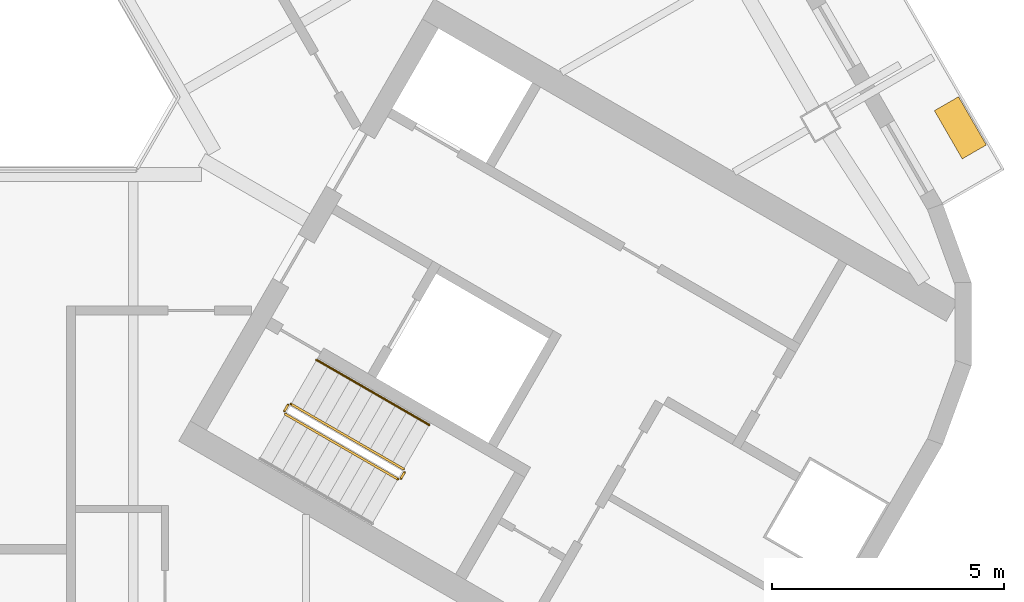
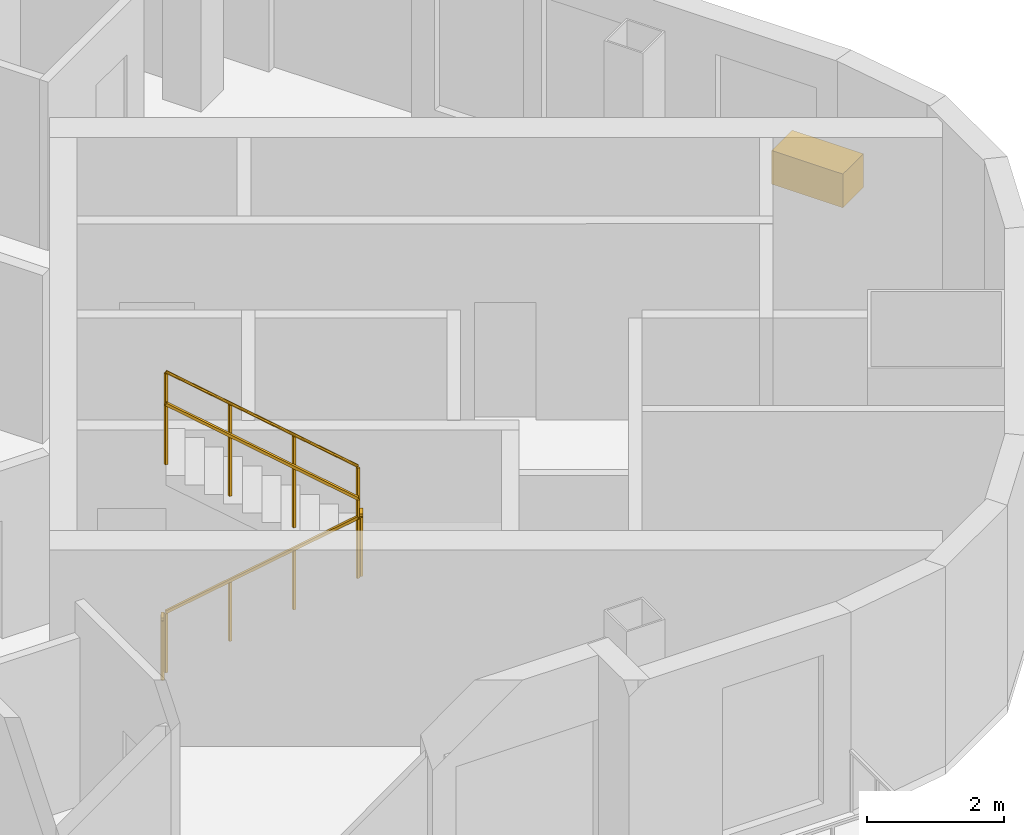
# One storey, part 11 of 13: 5 railings, 1 covering.
"""IFC4 building model written with IfcOpenShell, lengths in metres."""

from ifc_helpers import new_model, si_unit, direction, frame, origin, origin_2d, place, context, subcontext, project, spatial, rectangle, circle, extrude, material, type_object, element, save


model = new_model("IFC4")

# Units and contexts
model_context = context("Model", 3, precision=1e-05, world=origin(), true_north=direction((0.0, 1.0)))
body_context = subcontext(model_context, "Body", "Model", "MODEL_VIEW")
ifc_project = project(units=[si_unit("LENGTHUNIT", "METRE"), si_unit("AREAUNIT", "SQUARE_METRE"), si_unit("VOLUMEUNIT", "CUBIC_METRE"), si_unit("PLANEANGLEUNIT", "RADIAN"), si_unit("MASSUNIT", "GRAM", prefix="KILO")], contexts=[model_context])

# Site, building, storey
site_placement = place(None, origin())
site = spatial("IfcSite", under=ifc_project, at=site_placement, CompositionType="ELEMENT")
building_placement = place(site_placement, origin())
building = spatial("IfcBuilding", under=site, at=building_placement, Name="Apuvela Tower Hotel", CompositionType="ELEMENT")
storey_placement = place(building_placement, frame((0.0, 0.0, 272.60009765625)))
storey = spatial("IfcBuildingStorey", under=building, at=storey_placement, Name="L67", CompositionType="ELEMENT", Elevation=272.60009765625)

# Railings
ifc_material_1 = material(Name="Steel S275 balustrade", Category="steel")
railing_type_1 = type_object("IfcRailingType", Name="COR-GUARD-1100", PredefinedType="GUARDRAIL", material=ifc_material_1)
railing_1_placement = place(storey_placement, frame((10.718994140625, -10.63427734375, 0.16796875)))
element("IfcRailing", 1, at=railing_1_placement, inside=storey, type_object=railing_type_1, Name="L67 ST3 stair guard 1", PredefinedType="GUARDRAIL", context=body_context, shape_type="SweptSolid", body=[
    extrude(rectangle(XDim=0.048095703125, YDim=0.048095703125, at=origin_2d()), frame((0.0, 0.0, 1.076171875), z_axis=(0.742390482028, -0.42860119049, 0.514934356695), x_axis=(0.49998411664, 0.866034573852, 0.0)), (0.0, 0.0, 1.0), 3.26611328125),
    extrude(rectangle(XDim=0.0419921875, YDim=0.0419921875, at=origin_2d()), origin(), (0.0, 0.0, 1.0), 1.052001953125),
    extrude(rectangle(XDim=0.0419921875, YDim=0.0419921875, at=origin_2d()), frame((0.808349609375, -0.466552734375, 0.560546875)), (0.0, 0.0, 1.0), 1.052001953125),
    extrude(rectangle(XDim=0.0419921875, YDim=0.0419921875, at=origin_2d()), frame((1.616455078125, -0.933349609375, 1.121337890625)), (0.0, 0.0, 1.0), 1.052001953125),
    extrude(rectangle(XDim=0.0419921875, YDim=0.0419921875, at=origin_2d()), frame((2.4248046875, -1.39990234375, 1.681884765625)), (0.0, 0.0, 1.0), 1.052001953125),
])
railing_2_placement = place(storey_placement, frame((13.212158203125, -12.015869140625, 1.849853515625)))
element("IfcRailing", 2, at=railing_2_placement, inside=storey, type_object=railing_type_1, Name="L67 ST3 stair guard 2", PredefinedType="GUARDRAIL", context=body_context, shape_type="SweptSolid", body=[
    extrude(rectangle(XDim=0.048095703125, YDim=0.048095703125, at=origin_2d()), frame((0.0, 0.0, 1.076171875), z_axis=(0.499816412211, 0.866131372301, 0.0), x_axis=(-0.866131372301, 0.499816412211, 0.0)), (0.0, 0.0, 1.0), 0.14990234375),
    extrude(rectangle(XDim=0.0419921875, YDim=0.0419921875, at=origin_2d()), origin(), (0.0, 0.0, 1.0), 1.052001953125),
    extrude(rectangle(XDim=0.0419921875, YDim=0.0419921875, at=origin_2d()), frame((0.074951171875, 0.1298828125, 0.0)), (0.0, 0.0, 1.0), 1.052001953125),
])
railing_3_placement = place(storey_placement, frame((13.268798828125, -11.817626953125, 2.01806640625)))
element("IfcRailing", 3, at=railing_3_placement, inside=storey, type_object=railing_type_1, Name="L67 ST3 stair guard 3", PredefinedType="GUARDRAIL", context=body_context, shape_type="SweptSolid", body=[
    extrude(rectangle(XDim=0.048095703125, YDim=0.048095703125, at=origin_2d()), frame((0.0, 0.0, 1.076171875), z_axis=(-0.742390482028, 0.42860119049, 0.514934356695), x_axis=(-0.49998411664, -0.866034573852, 0.0)), (0.0, 0.0, 1.0), 3.26611328125),
    extrude(rectangle(XDim=0.0419921875, YDim=0.0419921875, at=origin_2d()), origin(), (0.0, 0.0, 1.0), 1.052001953125),
    extrude(rectangle(XDim=0.0419921875, YDim=0.0419921875, at=origin_2d()), frame((-0.808349609375, 0.466552734375, 0.560546875)), (0.0, 0.0, 1.0), 1.052001953125),
    extrude(rectangle(XDim=0.0419921875, YDim=0.0419921875, at=origin_2d()), frame((-1.616455078125, 0.933349609375, 1.121337890625)), (0.0, 0.0, 1.0), 1.052001953125),
    extrude(rectangle(XDim=0.0419921875, YDim=0.0419921875, at=origin_2d()), frame((-2.4248046875, 1.39990234375, 1.681884765625)), (0.0, 0.0, 1.0), 1.052001953125),
])
railing_4_placement = place(storey_placement, frame((10.70068359375, -10.56591796875, 0.0)))
element("IfcRailing", 4, at=railing_4_placement, inside=storey, type_object=railing_type_1, Name="L67 ST3 stair guard 4", PredefinedType="GUARDRAIL", context=body_context, shape_type="SweptSolid", body=[
    extrude(rectangle(XDim=0.048095703125, YDim=0.048095703125, at=origin_2d()), frame((0.0, 0.0, 1.076171875), z_axis=(0.499816412211, 0.866131372301, 0.0), x_axis=(-0.866131372301, 0.499816412211, 0.0)), (0.0, 0.0, 1.0), 0.14990234375),
    extrude(rectangle(XDim=0.0419921875, YDim=0.0419921875, at=origin_2d()), origin(), (0.0, 0.0, 1.0), 1.052001953125),
    extrude(rectangle(XDim=0.0419921875, YDim=0.0419921875, at=origin_2d()), frame((0.074951171875, 0.1298828125, 0.0)), (0.0, 0.0, 1.0), 1.052001953125),
])
ifc_material_2 = material(Name="Stainless steel 316 handrail", Category="steel")
railing_type_2 = type_object("IfcRailingType", Name="COR-HANDRAIL-900", PredefinedType="HANDRAIL", material=ifc_material_2)
railing_5_placement = place(storey_placement, frame((13.81884765625, -10.864990234375, 2.01806640625)))
element("IfcRailing", 5, at=railing_5_placement, inside=storey, type_object=railing_type_2, Name="L67 ST3 stair handrail 2", PredefinedType="HANDRAIL", context=body_context, shape_type="SweptSolid", body=[
    extrude(circle(Radius=0.02392578125, at=origin_2d()), frame((0.0, 0.0, 0.8759765625), z_axis=(-0.742390482028, 0.42860119049, 0.514934356695), x_axis=(-0.49998411664, -0.866034573852, 0.0)), (0.0, 0.0, 1.0), 3.26611328125),
    extrude(rectangle(XDim=0.0419921875, YDim=0.0419921875, at=origin_2d()), origin(), (0.0, 0.0, 1.0), 0.851806640625),
    extrude(rectangle(XDim=0.0419921875, YDim=0.0419921875, at=origin_2d()), frame((-0.808349609375, 0.466552734375, 0.560546875)), (0.0, 0.0, 1.0), 0.851806640625),
    extrude(rectangle(XDim=0.0419921875, YDim=0.0419921875, at=origin_2d()), frame((-1.616455078125, 0.933349609375, 1.121337890625)), (0.0, 0.0, 1.0), 0.851806640625),
    extrude(rectangle(XDim=0.0419921875, YDim=0.0419921875, at=origin_2d()), frame((-2.4248046875, 1.39990234375, 1.681884765625)), (0.0, 0.0, 1.0), 0.851806640625),
])

# Covering
ifc_material_3 = material(Name="Planting substrate and soil, planted")
covering_type = type_object("IfcCoveringType", Name="ENV-PLANTER-1200x600", PredefinedType="USERDEFINED", material=ifc_material_3)
covering_placement = place(storey_placement, frame((25.2626953125, -4.464599609375, -0.000244140625), z_axis=(0.0, 0.0, 1.0), x_axis=(-0.5, 0.866025403784, 0.0)))
element("IfcCovering", 6, at=covering_placement, inside=storey, type_object=covering_type, Name="Planter NE3", ObjectType="PLANTER", PredefinedType="USERDEFINED", context=body_context, shape_type="SweptSolid", body=[
    extrude(rectangle(XDim=1.199951171875, YDim=0.60009765625, at=origin_2d()), origin(), (0.0, 0.0, 1.0), 0.60009765625),
])

save(model, "model.ifc")
